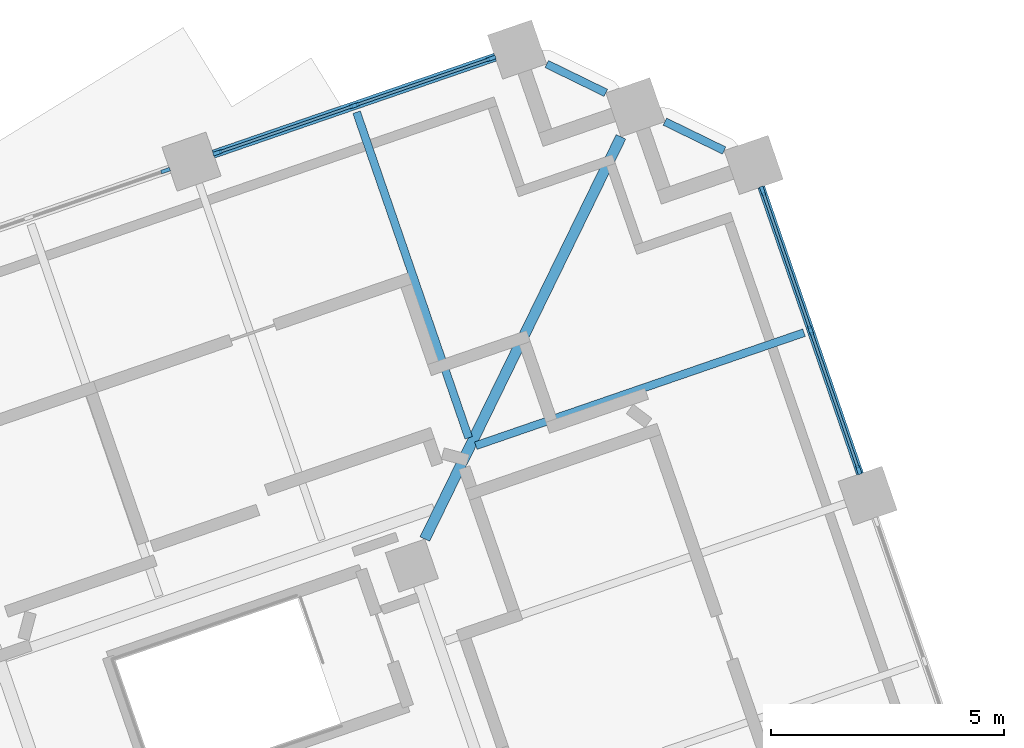
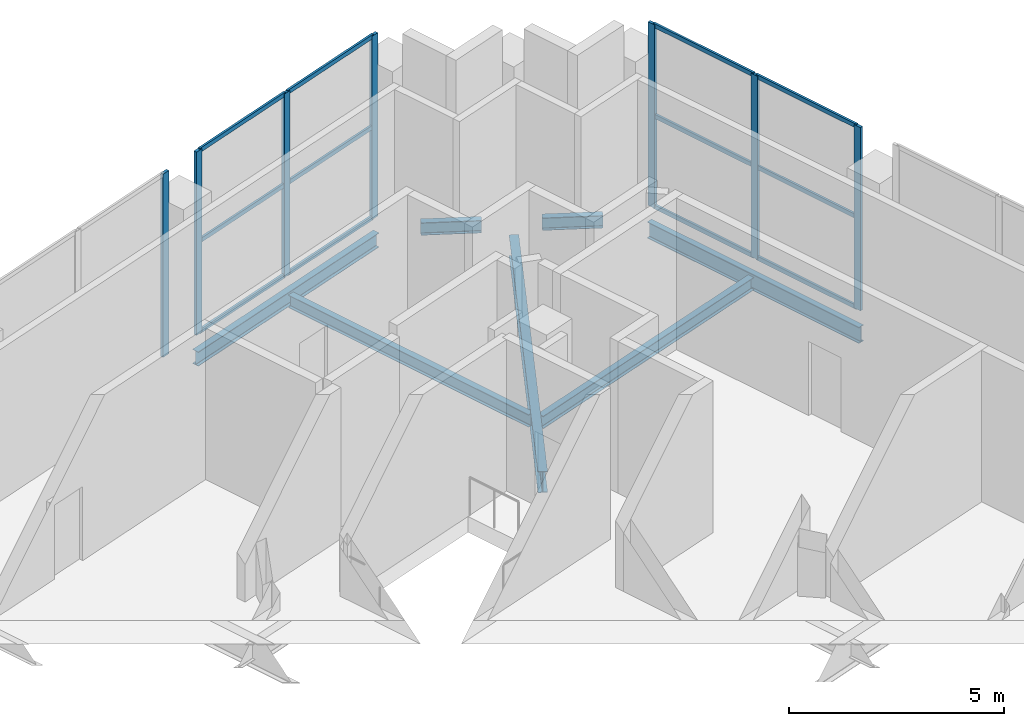
# One storey, part 8 of 20: 19 members, 7 beams, 3 elements without a shape of their own.
"""IFC4 building model written with IfcOpenShell, lengths in metres."""

from ifc_helpers import new_model, si_unit, direction, frame, origin, origin_2d, place, context, subcontext, project, spatial, rectangle, i_section, extrude, material, material_profile, profile_set, type_object, element, aggregate, save


model = new_model("IFC4")

# Units and contexts
model_context = context("Model", 3, precision=1e-05, world=origin(), true_north=direction((0.0, 1.0)))
body_context = subcontext(model_context, "Body", "Model", "MODEL_VIEW")
ifc_project = project(units=[si_unit("LENGTHUNIT", "METRE"), si_unit("AREAUNIT", "SQUARE_METRE"), si_unit("VOLUMEUNIT", "CUBIC_METRE"), si_unit("PLANEANGLEUNIT", "RADIAN"), si_unit("MASSUNIT", "GRAM", prefix="KILO")], contexts=[model_context])

# Site, building, storey
site_placement = place(None, origin())
site = spatial("IfcSite", under=ifc_project, at=site_placement, CompositionType="ELEMENT")
building_placement = place(site_placement, origin())
building = spatial("IfcBuilding", under=site, at=building_placement, Name="Cantera Rosa Tower", CompositionType="ELEMENT")
storey_placement = place(building_placement, frame((0.0, 0.0, 142.10009765625)))
storey = spatial("IfcBuildingStorey", under=building, at=storey_placement, Name="L30", CompositionType="ELEMENT", Elevation=142.10009765625)

# Curtain wall, members
ifc_material_1 = material(Name="Anodised aluminium louvre", Category="aluminium")
curtain_wall_type = type_object("IfcCurtainWallType", Name="CW3 REFUGE LOUVRE WALL", PredefinedType="NOTDEFINED", material=ifc_material_1)
curtain_wall_1_placement = place(storey_placement, origin())
curtain_wall_1 = element("IfcCurtainWall", 1, at=curtain_wall_1_placement, inside=storey, type_object=curtain_wall_type, Name="CW3 CW3", PredefinedType="NOTDEFINED")
ifc_material_2 = material(Name="Anodised bronze aluminium", Category="aluminium")
ifc_material_profile_1 = material_profile(ifc_material_2, rectangle(XDim=0.080078125, YDim=0.199951171875, at=origin_2d()), Name="CW-MULLION 80x200 REFUGE")
ifc_profile_set_1 = profile_set([ifc_material_profile_1], Name="Anodised bronze aluminium")
member_type_1 = type_object("IfcMemberType", Name="CW-MULLION 80x200 REFUGE", PredefinedType="MULLION", material=ifc_profile_set_1)
member_1_placement = place(storey_placement, frame((20.908203125, 19.753173828125, 0.0), z_axis=(0.0, 0.0, 1.0), x_axis=(-0.945518575605, -0.325568154441, 0.0)))
member_1 = element("IfcMember", 2, at=member_1_placement, type_object=member_type_1, Name="CW3 mullion 1", PredefinedType="MULLION", context=body_context, shape_type="SweptSolid", body=[
    extrude(rectangle(XDim=0.080078125, YDim=0.199951171875, at=origin_2d()), origin(), (0.0, 0.0, 1.0), 5.199951171875),
])
member_2_placement = place(storey_placement, frame((19.8759765625, 22.75048828125, 0.0), z_axis=(0.0, 0.0, 1.0), x_axis=(-0.945518575605, -0.325568154441, 0.0)))
member_2 = element("IfcMember", 3, at=member_2_placement, type_object=member_type_1, Name="CW3 mullion 2", PredefinedType="MULLION", context=body_context, shape_type="SweptSolid", body=[
    extrude(rectangle(XDim=0.080078125, YDim=0.199951171875, at=origin_2d()), origin(), (0.0, 0.0, 1.0), 5.199951171875),
])
member_3_placement = place(storey_placement, frame((18.843994140625, 25.747802734375, 0.0), z_axis=(0.0, 0.0, 1.0), x_axis=(-0.945518575605, -0.325568154441, 0.0)))
member_3 = element("IfcMember", 4, at=member_3_placement, type_object=member_type_1, Name="CW3 mullion 3", PredefinedType="MULLION", context=body_context, shape_type="SweptSolid", body=[
    extrude(rectangle(XDim=0.080078125, YDim=0.199951171875, at=origin_2d()), origin(), (0.0, 0.0, 1.0), 5.199951171875),
])

curtain_wall_2_placement = place(storey_placement, origin())
curtain_wall_2 = element("IfcCurtainWall", 5, at=curtain_wall_2_placement, inside=storey, type_object=curtain_wall_type, Name="CW3 CW3", PredefinedType="NOTDEFINED")
member_4_placement = place(storey_placement, frame((13.009765625, 28.59326171875, 0.0), z_axis=(0.0, 0.0, 1.0), x_axis=(0.325568154408, -0.945518575616, 0.0)))
member_4 = element("IfcMember", 6, at=member_4_placement, type_object=member_type_1, Name="CW3 mullion 1", PredefinedType="MULLION", context=body_context, shape_type="SweptSolid", body=[
    extrude(rectangle(XDim=0.080078125, YDim=0.199951171875, at=origin_2d()), origin(), (0.0, 0.0, 1.0), 5.199951171875),
])
member_5_placement = place(storey_placement, frame((10.069091796875, 27.580810546875, 0.0), z_axis=(0.0, 0.0, 1.0), x_axis=(0.325568154408, -0.945518575616, 0.0)))
member_5 = element("IfcMember", 7, at=member_5_placement, type_object=member_type_1, Name="CW3 mullion 2", PredefinedType="MULLION", context=body_context, shape_type="SweptSolid", body=[
    extrude(rectangle(XDim=0.080078125, YDim=0.199951171875, at=origin_2d()), origin(), (0.0, 0.0, 1.0), 5.199951171875),
])
member_6_placement = place(storey_placement, frame((7.128662109375, 26.568359375, 0.0), z_axis=(0.0, 0.0, 1.0), x_axis=(0.325568154408, -0.945518575616, 0.0)))
member_6 = element("IfcMember", 8, at=member_6_placement, type_object=member_type_1, Name="CW3 mullion 3", PredefinedType="MULLION", context=body_context, shape_type="SweptSolid", body=[
    extrude(rectangle(XDim=0.080078125, YDim=0.199951171875, at=origin_2d()), origin(), (0.0, 0.0, 1.0), 5.199951171875),
])

# Curtain wall, member
curtain_wall_3_placement = place(storey_placement, origin())
curtain_wall_3 = element("IfcCurtainWall", 9, at=curtain_wall_3_placement, inside=storey, type_object=curtain_wall_type, Name="CW3 CW3", PredefinedType="NOTDEFINED")
member_7_placement = place(storey_placement, frame((6.012939453125, 26.18408203125, 0.0), z_axis=(0.0, 0.0, 1.0), x_axis=(0.325568154457, -0.945518575599, 0.0)))
member_7 = element("IfcMember", 10, at=member_7_placement, type_object=member_type_1, Name="CW3 mullion 1", PredefinedType="MULLION", context=body_context, shape_type="SweptSolid", body=[
    extrude(rectangle(XDim=0.080078125, YDim=0.199951171875, at=origin_2d()), origin(), (0.0, 0.0, 1.0), 5.199951171875),
])
aggregate(curtain_wall_3, [member_7])

# Member
ifc_material_3 = material(Name="Anodised bronze aluminium", Category="aluminium")
ifc_material_profile_2 = material_profile(ifc_material_3, rectangle(XDim=0.06005859375, YDim=0.1201171875, at=origin_2d()), Name="CW-TRANSOM 60x120 REFUGE")
ifc_profile_set_2 = profile_set([ifc_material_profile_2], Name="Anodised bronze aluminium")
member_type_2 = type_object("IfcMemberType", Name="CW-TRANSOM 60x120 REFUGE", PredefinedType="USERDEFINED", material=ifc_profile_set_2)
member_8_placement = place(storey_placement, frame((20.89501953125, 19.791015625, 0.02978515625), z_axis=(-0.325527993713, 0.945532403098, 0.0), x_axis=(-0.945532403098, -0.325527993713, 0.0)))
member_8 = element("IfcMember", 11, at=member_8_placement, type_object=member_type_2, Name="CW3 transom 1.1", ObjectType="TRANSOM", PredefinedType="USERDEFINED", context=body_context, shape_type="SweptSolid", body=[
    extrude(rectangle(XDim=0.06005859375, YDim=0.1201171875, at=origin_2d()), origin(), (0.0, 0.0, 1.0), 3.08984375),
])

member_9_placement = place(storey_placement, frame((20.89501953125, 19.791015625, 2.599853515625), z_axis=(-0.325527993713, 0.945532403098, 0.0), x_axis=(-0.945532403098, -0.325527993713, 0.0)))
member_9 = element("IfcMember", 12, at=member_9_placement, type_object=member_type_2, Name="CW3 transom 1.2", ObjectType="TRANSOM", PredefinedType="USERDEFINED", context=body_context, shape_type="SweptSolid", body=[
    extrude(rectangle(XDim=0.06005859375, YDim=0.1201171875, at=origin_2d()), origin(), (0.0, 0.0, 1.0), 3.08984375),
])

member_10_placement = place(storey_placement, frame((20.89501953125, 19.791015625, 5.169921875), z_axis=(-0.325527993713, 0.945532403098, 0.0), x_axis=(-0.945532403098, -0.325527993713, 0.0)))
member_10 = element("IfcMember", 13, at=member_10_placement, type_object=member_type_2, Name="CW3 transom 1.3", ObjectType="TRANSOM", PredefinedType="USERDEFINED", context=body_context, shape_type="SweptSolid", body=[
    extrude(rectangle(XDim=0.06005859375, YDim=0.1201171875, at=origin_2d()), origin(), (0.0, 0.0, 1.0), 3.08984375),
])

member_11_placement = place(storey_placement, frame((19.863037109375, 22.788330078125, 0.02978515625), z_axis=(-0.325598629893, 0.945508081516, 0.0), x_axis=(-0.945508081516, -0.325598629893, 0.0)))
member_11 = element("IfcMember", 14, at=member_11_placement, type_object=member_type_2, Name="CW3 transom 2.1", ObjectType="TRANSOM", PredefinedType="USERDEFINED", context=body_context, shape_type="SweptSolid", body=[
    extrude(rectangle(XDim=0.06005859375, YDim=0.1201171875, at=origin_2d()), origin(), (0.0, 0.0, 1.0), 3.090087890625),
])

member_12_placement = place(storey_placement, frame((19.863037109375, 22.788330078125, 2.599853515625), z_axis=(-0.325598629893, 0.945508081516, 0.0), x_axis=(-0.945508081516, -0.325598629893, 0.0)))
member_12 = element("IfcMember", 15, at=member_12_placement, type_object=member_type_2, Name="CW3 transom 2.2", ObjectType="TRANSOM", PredefinedType="USERDEFINED", context=body_context, shape_type="SweptSolid", body=[
    extrude(rectangle(XDim=0.06005859375, YDim=0.1201171875, at=origin_2d()), origin(), (0.0, 0.0, 1.0), 3.090087890625),
])

member_13_placement = place(storey_placement, frame((19.863037109375, 22.788330078125, 5.169921875), z_axis=(-0.325598629893, 0.945508081516, 0.0), x_axis=(-0.945508081516, -0.325598629893, 0.0)))
member_13 = element("IfcMember", 16, at=member_13_placement, type_object=member_type_2, Name="CW3 transom 2.3", ObjectType="TRANSOM", PredefinedType="USERDEFINED", context=body_context, shape_type="SweptSolid", body=[
    extrude(rectangle(XDim=0.06005859375, YDim=0.1201171875, at=origin_2d()), origin(), (0.0, 0.0, 1.0), 3.090087890625),
])

aggregate(curtain_wall_1, [member_1, member_2, member_3, member_8, member_9, member_10, member_11, member_12, member_13])

member_14_placement = place(storey_placement, frame((12.971923828125, 28.580322265625, 0.02978515625), z_axis=(-0.94551075118, -0.325590877334, 0.0), x_axis=(0.325590877334, -0.94551075118, 0.0)))
member_14 = element("IfcMember", 17, at=member_14_placement, type_object=member_type_2, Name="CW3 transom 1.1", ObjectType="TRANSOM", PredefinedType="USERDEFINED", context=body_context, shape_type="SweptSolid", body=[
    extrude(rectangle(XDim=0.06005859375, YDim=0.1201171875, at=origin_2d()), origin(), (0.0, 0.0, 1.0), 3.030029296875),
])

member_15_placement = place(storey_placement, frame((12.971923828125, 28.580322265625, 2.599853515625), z_axis=(-0.94551075118, -0.325590877334, 0.0), x_axis=(0.325590877334, -0.94551075118, 0.0)))
member_15 = element("IfcMember", 18, at=member_15_placement, type_object=member_type_2, Name="CW3 transom 1.2", ObjectType="TRANSOM", PredefinedType="USERDEFINED", context=body_context, shape_type="SweptSolid", body=[
    extrude(rectangle(XDim=0.06005859375, YDim=0.1201171875, at=origin_2d()), origin(), (0.0, 0.0, 1.0), 3.030029296875),
])

member_16_placement = place(storey_placement, frame((12.971923828125, 28.580322265625, 5.169921875), z_axis=(-0.94551075118, -0.325590877334, 0.0), x_axis=(0.325590877334, -0.94551075118, 0.0)))
member_16 = element("IfcMember", 19, at=member_16_placement, type_object=member_type_2, Name="CW3 transom 1.3", ObjectType="TRANSOM", PredefinedType="USERDEFINED", context=body_context, shape_type="SweptSolid", body=[
    extrude(rectangle(XDim=0.06005859375, YDim=0.1201171875, at=origin_2d()), origin(), (0.0, 0.0, 1.0), 3.030029296875),
])

member_17_placement = place(storey_placement, frame((10.03125, 27.56787109375, 0.02978515625), z_axis=(-0.945502208828, -0.325615683132, 0.0), x_axis=(0.325615683132, -0.945502208828, 0.0)))
member_17 = element("IfcMember", 20, at=member_17_placement, type_object=member_type_2, Name="CW3 transom 2.1", ObjectType="TRANSOM", PredefinedType="USERDEFINED", context=body_context, shape_type="SweptSolid", body=[
    extrude(rectangle(XDim=0.06005859375, YDim=0.1201171875, at=origin_2d()), origin(), (0.0, 0.0, 1.0), 3.02978515625),
])

member_18_placement = place(storey_placement, frame((10.03125, 27.56787109375, 2.599853515625), z_axis=(-0.945502208828, -0.325615683132, 0.0), x_axis=(0.325615683132, -0.945502208828, 0.0)))
member_18 = element("IfcMember", 21, at=member_18_placement, type_object=member_type_2, Name="CW3 transom 2.2", ObjectType="TRANSOM", PredefinedType="USERDEFINED", context=body_context, shape_type="SweptSolid", body=[
    extrude(rectangle(XDim=0.06005859375, YDim=0.1201171875, at=origin_2d()), origin(), (0.0, 0.0, 1.0), 3.02978515625),
])

member_19_placement = place(storey_placement, frame((10.03125, 27.56787109375, 5.169921875), z_axis=(-0.945502208828, -0.325615683132, 0.0), x_axis=(0.325615683132, -0.945502208828, 0.0)))
member_19 = element("IfcMember", 22, at=member_19_placement, type_object=member_type_2, Name="CW3 transom 2.3", ObjectType="TRANSOM", PredefinedType="USERDEFINED", context=body_context, shape_type="SweptSolid", body=[
    extrude(rectangle(XDim=0.06005859375, YDim=0.1201171875, at=origin_2d()), origin(), (0.0, 0.0, 1.0), 3.02978515625),
])

aggregate(curtain_wall_2, [member_4, member_5, member_6, member_14, member_15, member_16, member_17, member_18, member_19])

# Beams
ifc_material_4 = material(Name="Steel ASTM A992 (Fy 345 MPa)", Category="steel")
ifc_material_profile_3 = material_profile(ifc_material_4, i_section(OverallWidth=0.22802734375, OverallDepth=0.60205078125, WebThickness=0.010498046875, FlangeThickness=0.014892578125, FilletRadius=0.0126953125, at=origin_2d()), Name="W610X101")
ifc_profile_set_3 = profile_set([ifc_material_profile_3], Name="Steel ASTM A992 (Fy 345 MPa)")
beam_type_1 = type_object("IfcBeamType", Name="STEEL BEAM W610X101", PredefinedType="BEAM", material=ifc_profile_set_3)
beam_1_placement = place(storey_placement, frame((15.7998046875, 26.909912109375, -0.7509765625), z_axis=(-0.438387618569, -0.898786012288, 0.0), x_axis=(0.898786012288, -0.438387618569, 0.0)))
element("IfcBeam", 23, at=beam_1_placement, inside=storey, type_object=beam_type_1, Name="CB-Z2-01 L30", PredefinedType="BEAM", context=body_context, shape_type="SweptSolid", body=[
    extrude(i_section(OverallWidth=0.22802734375, OverallDepth=0.60205078125, WebThickness=0.010498046875, FlangeThickness=0.014892578125, FilletRadius=0.0126953125, at=origin_2d()), origin(), (0.0, 0.0, 1.0), 9.61669921875),
])
ifc_material_5 = material(Name="Steel ASTM A992 (Fy 345 MPa)", Category="steel")
ifc_material_profile_4 = material_profile(ifc_material_5, i_section(OverallWidth=0.1708984375, OverallDepth=0.35595703125, WebThickness=0.00732421875, FlangeThickness=0.01171875, FilletRadius=0.010009765625, at=origin_2d()), Name="W360X51")
ifc_profile_set_4 = profile_set([ifc_material_profile_4], Name="Steel ASTM A992 (Fy 345 MPa)")
beam_type_2 = type_object("IfcBeamType", Name="STEEL JOIST W360X51", PredefinedType="JOIST", material=ifc_profile_set_4)
beam_2_placement = place(storey_placement, frame((19.734130859375, 22.70166015625, -0.628173828125), z_axis=(-0.945518264054, -0.32556905925, 0.0), x_axis=(0.32556905925, -0.945518264054, 0.0)))
element("IfcBeam", 24, at=beam_2_placement, inside=storey, type_object=beam_type_2, Name="B-Z2-05 L30", PredefinedType="JOIST", context=body_context, shape_type="SweptSolid", body=[
    extrude(i_section(OverallWidth=0.1708984375, OverallDepth=0.35595703125, WebThickness=0.00732421875, FlangeThickness=0.01171875, FilletRadius=0.010009765625, at=origin_2d()), origin(), (0.0, 0.0, 1.0), 7.4599609375),
])
beam_3_placement = place(storey_placement, frame((10.117919921875, 27.43896484375, -0.628173828125), z_axis=(0.325565645331, -0.945519439557, 0.0), x_axis=(0.945519439557, 0.325565645331, 0.0)))
element("IfcBeam", 25, at=beam_3_placement, inside=storey, type_object=beam_type_2, Name="B-Z2-06 L30", PredefinedType="JOIST", context=body_context, shape_type="SweptSolid", body=[
    extrude(i_section(OverallWidth=0.1708984375, OverallDepth=0.35595703125, WebThickness=0.00732421875, FlangeThickness=0.01171875, FilletRadius=0.010009765625, at=origin_2d()), origin(), (0.0, 0.0, 1.0), 7.39990234375),
])
ifc_material_6 = material(Name="Steel ASTM A992 (Fy 345 MPa)", Category="steel")
ifc_material_profile_5 = material_profile(ifc_material_6, i_section(OverallWidth=0.1708984375, OverallDepth=0.35595703125, WebThickness=0.00732421875, FlangeThickness=0.01171875, FilletRadius=0.010009765625, at=origin_2d()), Name="W360X51")
ifc_profile_set_5 = profile_set([ifc_material_profile_5], Name="Steel ASTM A992 (Fy 345 MPa)")
beam_type_3 = type_object("IfcBeamType", Name="STEEL SPANDREL BEAM W360X51", PredefinedType="SPANDREL", material=ifc_profile_set_5)
for number, where, z_axis, x_axis, name in (
    (26, (18.016357421875, 26.61572265625, -0.628173828125), (-0.898803287583, 0.438352198842, 0.0), (-0.438352198842, -0.898803287583, 0.0), "EB-Z2-06 L30"),
    (27, (15.47412109375, 27.85546875, -0.628173828125), (-0.898803287583, 0.438352198842, 0.0), (-0.438352198842, -0.898803287583, 0.0), "EB-Z2-07 L30"),
):
    element("IfcBeam", number, at=place(storey_placement, frame(where, z_axis=z_axis, x_axis=x_axis)), inside=storey, type_object=beam_type_3, Name=name, PredefinedType="SPANDREL", context=body_context, shape_type="SweptSolid", body=[
        extrude(i_section(OverallWidth=0.1708984375, OverallDepth=0.35595703125, WebThickness=0.00732421875, FlangeThickness=0.01171875, FilletRadius=0.010009765625, at=origin_2d()), origin(), (0.0, 0.0, 1.0), 1.4140625),
    ])
ifc_material_7 = material(Name="Steel ASTM A992 (Fy 345 MPa)", Category="steel")
ifc_material_profile_6 = material_profile(ifc_material_7, i_section(OverallWidth=0.177978515625, OverallDepth=0.406005859375, WebThickness=0.0078125, FlangeThickness=0.0126953125, FilletRadius=0.01025390625, at=origin_2d()), Name="W410X60")
ifc_profile_set_6 = profile_set([ifc_material_profile_6], Name="Steel ASTM A992 (Fy 345 MPa)")
beam_type_4 = type_object("IfcBeamType", Name="STEEL SPANDREL BEAM W410X60", PredefinedType="SPANDREL", material=ifc_profile_set_6)
beam_4_placement = place(storey_placement, frame((13.0947265625, 28.62255859375, -0.653076171875), z_axis=(-0.945524496524, -0.325550958337, 0.0), x_axis=(0.325550958337, -0.945524496524, 0.0)))
element("IfcBeam", 28, at=beam_4_placement, inside=storey, type_object=beam_type_4, Name="EB-Z2-08 L30", PredefinedType="SPANDREL", context=body_context, shape_type="SweptSolid", body=[
    extrude(i_section(OverallWidth=0.177978515625, OverallDepth=0.406005859375, WebThickness=0.0078125, FlangeThickness=0.0126953125, FilletRadius=0.01025390625, at=origin_2d()), origin(), (0.0, 0.0, 1.0), 6.39990234375),
])
ifc_material_8 = material(Name="Steel ASTM A992 (Fy 345 MPa)", Category="steel")
ifc_material_profile_7 = material_profile(ifc_material_8, i_section(OverallWidth=0.154052734375, OverallDepth=0.4599609375, WebThickness=0.009033203125, FlangeThickness=0.015380859375, FilletRadius=0.01025390625, at=origin_2d()), Name="W460X68")
ifc_profile_set_7 = profile_set([ifc_material_profile_7], Name="Steel ASTM A992 (Fy 345 MPa)")
beam_type_5 = type_object("IfcBeamType", Name="STEEL SPANDREL BEAM W460X68", PredefinedType="SPANDREL", material=ifc_profile_set_7)
beam_5_placement = place(storey_placement, frame((20.9375, 19.668212890625, -0.68017578125), z_axis=(-0.325592517631, 0.945510186335, 0.0), x_axis=(-0.945510186335, -0.325592517631, 0.0)))
element("IfcBeam", 29, at=beam_5_placement, inside=storey, type_object=beam_type_5, Name="EB-Z2-05 L30", PredefinedType="SPANDREL", context=body_context, shape_type="SweptSolid", body=[
    extrude(i_section(OverallWidth=0.154052734375, OverallDepth=0.4599609375, WebThickness=0.009033203125, FlangeThickness=0.015380859375, FilletRadius=0.01025390625, at=origin_2d()), origin(), (0.0, 0.0, 1.0), 6.519775390625),
])

save(model, "model.ifc")
